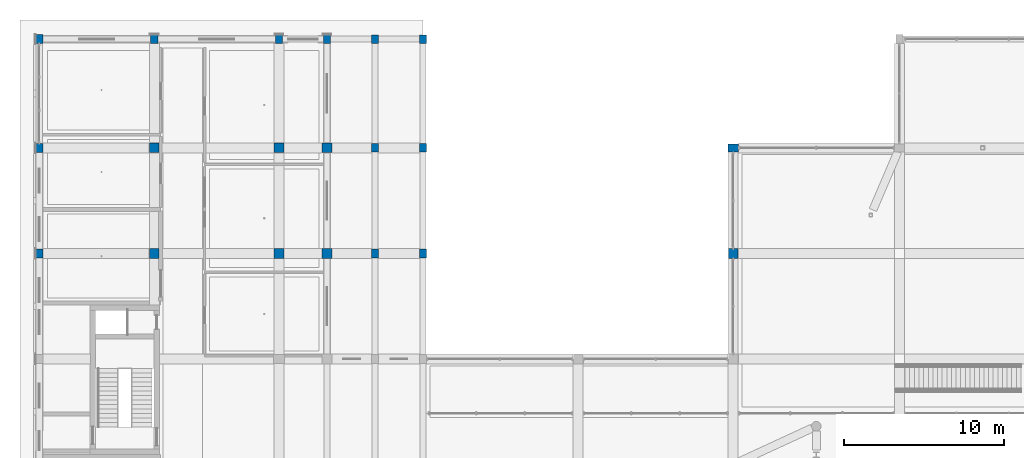
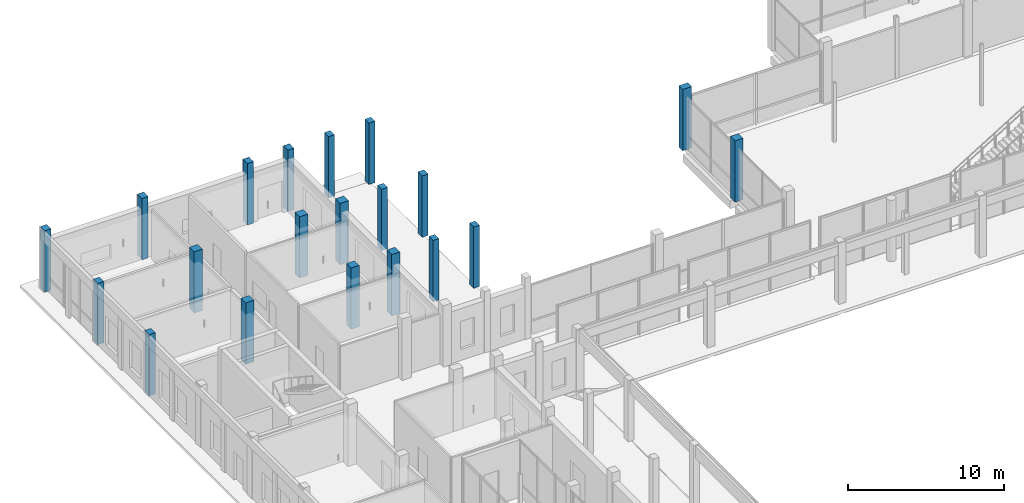
# One storey, part 7 of 88: 20 columns.
"""IFC4 building model written with IfcOpenShell, lengths in metres."""

from ifc_helpers import new_model, si_unit, derived_unit, direction, frame, origin, origin_2d, place, context, subcontext, project, spatial, rectangle, extrude, material, material_profile, profile_set, type_object, element, save


model = new_model("IFC4")

# Units and contexts
model_context = context("Model", 3, precision=1e-05, world=origin(), true_north=direction((0.0, 1.0)))
body_context = subcontext(model_context, "Body", "Model", "MODEL_VIEW")
ifc_project = project(units=[si_unit("LENGTHUNIT", "METRE"), si_unit("AREAUNIT", "SQUARE_METRE"), si_unit("VOLUMEUNIT", "CUBIC_METRE"), si_unit("PLANEANGLEUNIT", "RADIAN"), si_unit("MASSUNIT", "GRAM", prefix="KILO"), derived_unit("THERMALTRANSMITTANCEUNIT", [(si_unit("POWERUNIT", "WATT"), 1), (si_unit("LENGTHUNIT", "METRE"), -2), (si_unit("THERMODYNAMICTEMPERATUREUNIT", "KELVIN"), -1)])], contexts=[model_context])

# Site, building, storey
site_placement = place(None, origin())
site = spatial("IfcSite", under=ifc_project, at=site_placement, CompositionType="ELEMENT")
building_placement = place(site_placement, origin())
building = spatial("IfcBuilding", under=site, at=building_placement, Name="Braskholm Square Health Centre", CompositionType="ELEMENT")
storey_placement = place(building_placement, origin())
storey = spatial("IfcBuildingStorey", under=building, at=storey_placement, Name="L01", CompositionType="ELEMENT", Elevation=0.0)

# Columns
ifc_material_1 = material(Name="Concrete C40/50 (f'c = 40 MPa)", Category="concrete")
ifc_material_profile_1 = material_profile(ifc_material_1, rectangle(XDim=0.64990234375, YDim=0.5, at=origin_2d()), Name="RC-650X500")
ifc_profile_set_1 = profile_set([ifc_material_profile_1], Name="Concrete C40/50 (f'c = 40 MPa)")
column_type_1 = type_object("IfcColumnType", Name="ColHallPier650x500", PredefinedType="COLUMN", material=ifc_profile_set_1)
column_placement = place(storey_placement, frame((47.60009765625, 107.0, 0.0), z_axis=(0.0, 0.0, 1.0), x_axis=(1.0, 0.0, 0.0)))
element("IfcColumn", 1, at=column_placement, inside=storey, type_object=column_type_1, Name="Column 8/R L01", PredefinedType="COLUMN", context=body_context, shape_type="SweptSolid", body=[
    extrude(rectangle(XDim=0.64990234375, YDim=0.5, at=origin_2d()), origin(), (0.0, 0.0, 1.0), 4.800048828125),
])
ifc_material_profile_2 = material_profile(ifc_material_1, rectangle(XDim=0.60009765625, YDim=0.60009765625, at=origin_2d()), Name="RC-600X600")
ifc_profile_set_2 = profile_set([ifc_material_profile_2], Name="Concrete C40/50 (f'c = 40 MPa)")
column_type_2 = type_object("IfcColumnType", Name="ColInteriorLow600", PredefinedType="COLUMN", material=ifc_profile_set_2)
for number, where, z_axis, x_axis, name in (
    (2, (11.39990234375, 100.39990234375, 0.0), (0.0, 0.0, 1.0), (1.0, 0.0, 0.0), "Column 2/Q L01"),
    (3, (11.39990234375, 107.0, 0.0), (0.0, 0.0, 1.0), (1.0, 0.0, 0.0), "Column 2/R L01"),
    (4, (19.199951171875, 100.39990234375, 0.0), (0.0, 0.0, 1.0), (1.0, 0.0, 0.0), "Column 3/Q L01"),
    (5, (19.199951171875, 107.0, 0.0), (0.0, 0.0, 1.0), (1.0, 0.0, 0.0), "Column 3/R L01"),
    (6, (22.199951171875, 100.39990234375, 0.0), (0.0, 0.0, 1.0), (1.0, 0.0, 0.0), "Column 4/Q L01"),
    (7, (22.199951171875, 107.0, 0.0), (0.0, 0.0, 1.0), (1.0, 0.0, 0.0), "Column 4/R L01"),
    (8, (47.60009765625, 100.39990234375, 0.0), (0.0, 0.0, 1.0), (1.0, 0.0, 0.0), "Column 8/Q L01"),
):
    element("IfcColumn", number, at=place(storey_placement, frame(where, z_axis=z_axis, x_axis=x_axis)), inside=storey, type_object=column_type_2, Name=name, PredefinedType="COLUMN", context=body_context, shape_type="SweptSolid", body=[
        extrude(rectangle(XDim=0.60009765625, YDim=0.60009765625, at=origin_2d()), origin(), (0.0, 0.0, 1.0), 4.800048828125),
    ])
ifc_material_2 = material(Name="Precast concrete C40/50 architectural white", Category="concrete")
ifc_material_profile_3 = material_profile(ifc_material_2, rectangle(XDim=0.43994140625, YDim=0.5400390625, at=origin_2d()), Name="RC-440X540")
ifc_profile_set_3 = profile_set([ifc_material_profile_3], Name="Precast concrete C40/50 architectural white")
column_type_3 = type_object("IfcColumnType", Name="ColPilasterKasota440x540", PredefinedType="PILASTER", material=ifc_profile_set_3)
for number, where, z_axis, x_axis, name in (
    (9, (25.199951171875, 100.39990234375, 0.0), (0.0, 0.0, 1.0), (1.0, 0.0, 0.0), "Column 5/Q L01"),
    (10, (25.199951171875, 107.0, 0.0), (0.0, 0.0, 1.0), (1.0, 0.0, 0.0), "Column 5/R L01"),
    (11, (25.199951171875, 113.800048828125, 0.0), (0.0, 0.0, 1.0), (1.0, 0.0, 0.0), "Column 5/S L01"),
    (12, (28.199951171875, 100.39990234375, 0.0), (0.0, 0.0, 1.0), (1.0, 0.0, 0.0), "Column 6/Q L01"),
    (13, (28.199951171875, 107.0, 0.0), (0.0, 0.0, 1.0), (1.0, 0.0, 0.0), "Column 6/R L01"),
    (14, (28.199951171875, 113.800048828125, 0.0), (0.0, 0.0, 1.0), (1.0, 0.0, 0.0), "Column 6/S L01"),
):
    element("IfcColumn", number, at=place(storey_placement, frame(where, z_axis=z_axis, x_axis=x_axis)), inside=storey, type_object=column_type_3, Name=name, PredefinedType="PILASTER", context=body_context, shape_type="SweptSolid", body=[
        extrude(rectangle(XDim=0.43994140625, YDim=0.5400390625, at=origin_2d()), origin(), (0.0, 0.0, 1.0), 4.800048828125),
    ])
ifc_material_profile_4 = material_profile(ifc_material_2, rectangle(XDim=0.4599609375, YDim=0.56005859375, at=origin_2d()), Name="RC-460X560")
ifc_profile_set_4 = profile_set([ifc_material_profile_4], Name="Precast concrete C40/50 architectural white")
column_type_4 = type_object("IfcColumnType", Name="ColPrecastFrame460x560", PredefinedType="COLUMN", material=ifc_profile_set_4)
for number, where, z_axis, x_axis, name in (
    (15, (4.199951171875, 100.39990234375, 0.0), (0.0, 0.0, 1.0), (1.0, 0.0, 0.0), "Column 1/Q L01"),
    (16, (4.199951171875, 107.0, 0.0), (0.0, 0.0, 1.0), (1.0, 0.0, 0.0), "Column 1/R L01"),
    (17, (4.199951171875, 113.800048828125, 0.0), (0.0, 0.0, 1.0), (1.0, 0.0, 0.0), "Column 1/S L01"),
    (18, (11.39990234375, 113.800048828125, 0.0), (0.0, 0.0, 1.0), (1.0, 0.0, 0.0), "Column 2/S L01"),
    (19, (19.199951171875, 113.800048828125, 0.0), (0.0, 0.0, 1.0), (1.0, 0.0, 0.0), "Column 3/S L01"),
    (20, (22.199951171875, 113.800048828125, 0.0), (0.0, 0.0, 1.0), (1.0, 0.0, 0.0), "Column 4/S L01"),
):
    element("IfcColumn", number, at=place(storey_placement, frame(where, z_axis=z_axis, x_axis=x_axis)), inside=storey, type_object=column_type_4, Name=name, PredefinedType="COLUMN", context=body_context, shape_type="SweptSolid", body=[
        extrude(rectangle(XDim=0.4599609375, YDim=0.56005859375, at=origin_2d()), origin(), (0.0, 0.0, 1.0), 4.800048828125),
    ])

save(model, "model.ifc")
